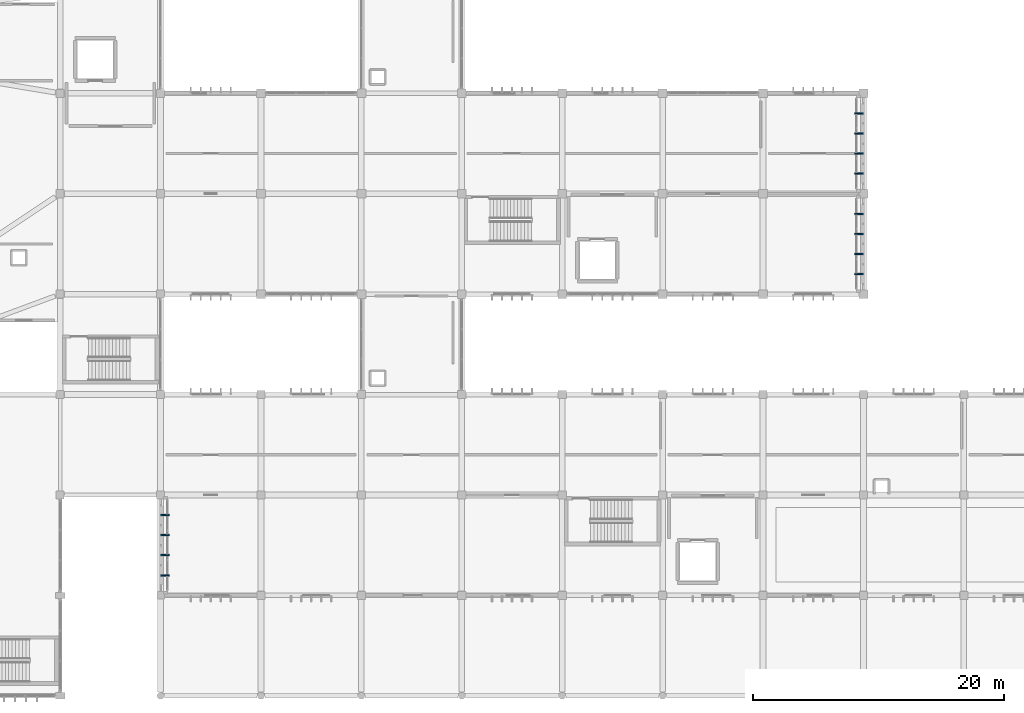
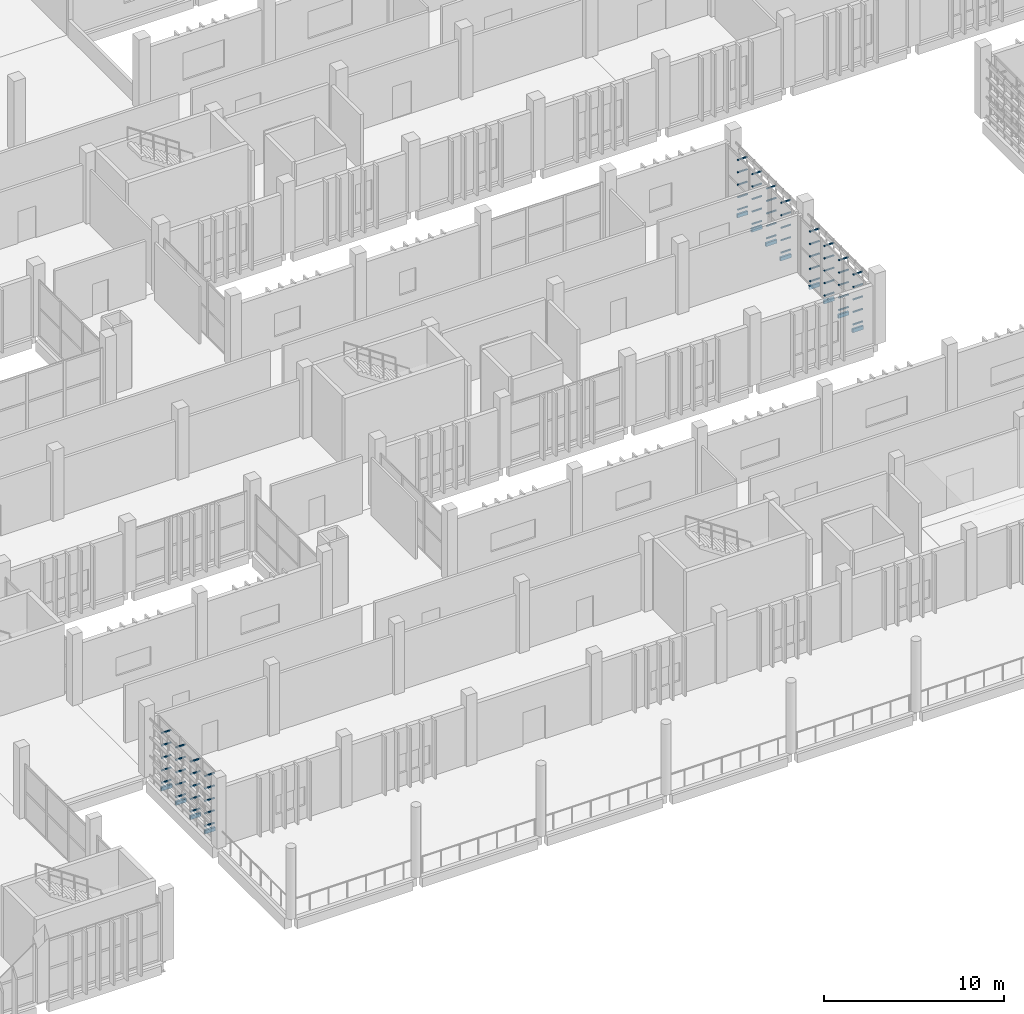
# One storey, part 95 of 106: 72 discrete accessories.
"""IFC4 building model written with IfcOpenShell, lengths in metres."""

from ifc_helpers import new_model, si_unit, direction, frame, origin, origin_2d, place, context, subcontext, project, spatial, rectangle, extrude, material, type_object, element, save


model = new_model("IFC4")

# Units and contexts
model_context = context("Model", 3, precision=1e-05, world=origin(), true_north=direction((0.0, 1.0)))
body_context = subcontext(model_context, "Body", "Model", "MODEL_VIEW")
ifc_project = project(units=[si_unit("LENGTHUNIT", "METRE"), si_unit("AREAUNIT", "SQUARE_METRE"), si_unit("VOLUMEUNIT", "CUBIC_METRE"), si_unit("PLANEANGLEUNIT", "RADIAN"), si_unit("MASSUNIT", "GRAM", prefix="KILO")], contexts=[model_context])

# Site, building, storey
site_placement = place(None, origin())
site = spatial("IfcSite", under=ifc_project, at=site_placement, CompositionType="ELEMENT")
building_placement = place(site_placement, origin())
building = spatial("IfcBuilding", under=site, at=building_placement, Name="Jelvoka-Kovrelna Polytechnic", CompositionType="ELEMENT")
storey_placement = place(building_placement, frame((0.0, 0.0, 4.800048828125)))
storey = spatial("IfcBuildingStorey", under=building, at=storey_placement, Name="L02", CompositionType="ELEMENT", Elevation=4.800048828125)

# Discrete accessories
ifc_material = material(Name="Structural steel S355JR", Category="steel")
discrete_accessory_type = type_object("IfcDiscreteAccessoryType", Name="Bracket_Outrigger_S355", PredefinedType="BRACKET", material=ifc_material)
discrete_accessory_1_placement = place(storey_placement, frame((56.320068359375, 9.60009765625, 0.280029296875), z_axis=(0.0, 0.0, 1.0), x_axis=(1.0, 0.0, 0.0)))
element("IfcDiscreteAccessory", 1, at=discrete_accessory_1_placement, inside=storey, type_object=discrete_accessory_type, Name="L02 screen outrigger tie bracket BRKM-PLT-SCR-0021", PredefinedType="BRACKET", context=body_context, shape_type="SweptSolid", body=[
    extrude(rectangle(XDim=0.639892578125, YDim=0.080078125, at=origin_2d()), origin(), (0.0, 0.0, 1.0), 0.080078125),
])
discrete_accessory_2_placement = place(storey_placement, frame((56.340087890625, 9.60009765625, -0.199951171875), z_axis=(0.0, 0.0, 1.0), x_axis=(1.0, 0.0, 0.0)))
element("IfcDiscreteAccessory", 2, at=discrete_accessory_2_placement, inside=storey, type_object=discrete_accessory_type, Name="L02 screen outrigger tie bracket BRK-PLT-SCR-0021", PredefinedType="BRACKET", context=body_context, shape_type="SweptSolid", body=[
    extrude(rectangle(XDim=0.679931640625, YDim=0.1201171875, at=origin_2d()), origin(), (0.0, 0.0, 1.0), 0.239990234375),
])
for number, where, z_axis, x_axis, name in (
    (3, (56.320068359375, 9.60009765625, 1.122314453125), (0.0, 0.0, 1.0), (1.0, 0.0, 0.0), "L02 screen outrigger tie bracket BRKM-PLT-SCR-0022"),
    (4, (56.320068359375, 9.60009765625, 1.96484375), (0.0, 0.0, 1.0), (1.0, 0.0, 0.0), "L02 screen outrigger tie bracket BRKM-PLT-SCR-0023"),
    (5, (56.320068359375, 9.60009765625, 2.807373046875), (0.0, 0.0, 1.0), (1.0, 0.0, 0.0), "L02 screen outrigger tie bracket BRKM-PLT-SCR-0024"),
    (6, (56.320068359375, 9.60009765625, 3.64990234375), (0.0, 0.0, 1.0), (1.0, 0.0, 0.0), "L02 screen outrigger tie bracket BRKM-PLT-SCR-0025"),
    (7, (56.320068359375, 11.199951171875, 0.280029296875), (0.0, 0.0, 1.0), (1.0, 0.0, 0.0), "L02 screen outrigger tie bracket BRKM-PLT-SCR-0026"),
):
    element("IfcDiscreteAccessory", number, at=place(storey_placement, frame(where, z_axis=z_axis, x_axis=x_axis)), inside=storey, type_object=discrete_accessory_type, Name=name, PredefinedType="BRACKET", context=body_context, shape_type="SweptSolid", body=[
        extrude(rectangle(XDim=0.639892578125, YDim=0.080078125, at=origin_2d()), origin(), (0.0, 0.0, 1.0), 0.080078125),
    ])
discrete_accessory_3_placement = place(storey_placement, frame((56.340087890625, 11.199951171875, -0.199951171875), z_axis=(0.0, 0.0, 1.0), x_axis=(1.0, 0.0, 0.0)))
element("IfcDiscreteAccessory", 8, at=discrete_accessory_3_placement, inside=storey, type_object=discrete_accessory_type, Name="L02 screen outrigger tie bracket BRK-PLT-SCR-0026", PredefinedType="BRACKET", context=body_context, shape_type="SweptSolid", body=[
    extrude(rectangle(XDim=0.679931640625, YDim=0.1201171875, at=origin_2d()), origin(), (0.0, 0.0, 1.0), 0.239990234375),
])
for number, where, z_axis, x_axis, name in (
    (9, (56.320068359375, 11.199951171875, 1.122314453125), (0.0, 0.0, 1.0), (1.0, 0.0, 0.0), "L02 screen outrigger tie bracket BRKM-PLT-SCR-0027"),
    (10, (56.320068359375, 11.199951171875, 1.96484375), (0.0, 0.0, 1.0), (1.0, 0.0, 0.0), "L02 screen outrigger tie bracket BRKM-PLT-SCR-0028"),
    (11, (56.320068359375, 11.199951171875, 2.807373046875), (0.0, 0.0, 1.0), (1.0, 0.0, 0.0), "L02 screen outrigger tie bracket BRKM-PLT-SCR-0029"),
    (12, (56.320068359375, 11.199951171875, 3.64990234375), (0.0, 0.0, 1.0), (1.0, 0.0, 0.0), "L02 screen outrigger tie bracket BRKM-PLT-SCR-0030"),
    (13, (56.320068359375, 12.800048828125, 0.280029296875), (0.0, 0.0, 1.0), (1.0, 0.0, 0.0), "L02 screen outrigger tie bracket BRKM-PLT-SCR-0031"),
):
    element("IfcDiscreteAccessory", number, at=place(storey_placement, frame(where, z_axis=z_axis, x_axis=x_axis)), inside=storey, type_object=discrete_accessory_type, Name=name, PredefinedType="BRACKET", context=body_context, shape_type="SweptSolid", body=[
        extrude(rectangle(XDim=0.639892578125, YDim=0.080078125, at=origin_2d()), origin(), (0.0, 0.0, 1.0), 0.080078125),
    ])
discrete_accessory_4_placement = place(storey_placement, frame((56.340087890625, 12.800048828125, -0.199951171875), z_axis=(0.0, 0.0, 1.0), x_axis=(1.0, 0.0, 0.0)))
element("IfcDiscreteAccessory", 14, at=discrete_accessory_4_placement, inside=storey, type_object=discrete_accessory_type, Name="L02 screen outrigger tie bracket BRK-PLT-SCR-0031", PredefinedType="BRACKET", context=body_context, shape_type="SweptSolid", body=[
    extrude(rectangle(XDim=0.679931640625, YDim=0.1201171875, at=origin_2d()), origin(), (0.0, 0.0, 1.0), 0.239990234375),
])
for number, where, z_axis, x_axis, name in (
    (15, (56.320068359375, 12.800048828125, 1.122314453125), (0.0, 0.0, 1.0), (1.0, 0.0, 0.0), "L02 screen outrigger tie bracket BRKM-PLT-SCR-0032"),
    (16, (56.320068359375, 12.800048828125, 1.96484375), (0.0, 0.0, 1.0), (1.0, 0.0, 0.0), "L02 screen outrigger tie bracket BRKM-PLT-SCR-0033"),
    (17, (56.320068359375, 12.800048828125, 2.807373046875), (0.0, 0.0, 1.0), (1.0, 0.0, 0.0), "L02 screen outrigger tie bracket BRKM-PLT-SCR-0034"),
    (18, (56.320068359375, 12.800048828125, 3.64990234375), (0.0, 0.0, 1.0), (1.0, 0.0, 0.0), "L02 screen outrigger tie bracket BRKM-PLT-SCR-0035"),
    (19, (56.320068359375, 14.39990234375, 0.280029296875), (0.0, 0.0, 1.0), (1.0, 0.0, 0.0), "L02 screen outrigger tie bracket BRKM-PLT-SCR-0036"),
):
    element("IfcDiscreteAccessory", number, at=place(storey_placement, frame(where, z_axis=z_axis, x_axis=x_axis)), inside=storey, type_object=discrete_accessory_type, Name=name, PredefinedType="BRACKET", context=body_context, shape_type="SweptSolid", body=[
        extrude(rectangle(XDim=0.639892578125, YDim=0.080078125, at=origin_2d()), origin(), (0.0, 0.0, 1.0), 0.080078125),
    ])
discrete_accessory_5_placement = place(storey_placement, frame((56.340087890625, 14.39990234375, -0.199951171875), z_axis=(0.0, 0.0, 1.0), x_axis=(1.0, 0.0, 0.0)))
element("IfcDiscreteAccessory", 20, at=discrete_accessory_5_placement, inside=storey, type_object=discrete_accessory_type, Name="L02 screen outrigger tie bracket BRK-PLT-SCR-0036", PredefinedType="BRACKET", context=body_context, shape_type="SweptSolid", body=[
    extrude(rectangle(XDim=0.679931640625, YDim=0.1201171875, at=origin_2d()), origin(), (0.0, 0.0, 1.0), 0.239990234375),
])
for number, where, z_axis, x_axis, name in (
    (21, (56.320068359375, 14.39990234375, 1.122314453125), (0.0, 0.0, 1.0), (1.0, 0.0, 0.0), "L02 screen outrigger tie bracket BRKM-PLT-SCR-0037"),
    (22, (56.320068359375, 14.39990234375, 1.96484375), (0.0, 0.0, 1.0), (1.0, 0.0, 0.0), "L02 screen outrigger tie bracket BRKM-PLT-SCR-0038"),
    (23, (56.320068359375, 14.39990234375, 2.807373046875), (0.0, 0.0, 1.0), (1.0, 0.0, 0.0), "L02 screen outrigger tie bracket BRKM-PLT-SCR-0039"),
    (24, (56.320068359375, 14.39990234375, 3.64990234375), (0.0, 0.0, 1.0), (1.0, 0.0, 0.0), "L02 screen outrigger tie bracket BRKM-PLT-SCR-0040"),
    (25, (111.679931640625, 33.60009765625, 0.280029296875), (0.0, 0.0, 1.0), (1.0, 0.0, 0.0), "L02 screen outrigger tie bracket BRKM-PLT-SCR-0201"),
):
    element("IfcDiscreteAccessory", number, at=place(storey_placement, frame(where, z_axis=z_axis, x_axis=x_axis)), inside=storey, type_object=discrete_accessory_type, Name=name, PredefinedType="BRACKET", context=body_context, shape_type="SweptSolid", body=[
        extrude(rectangle(XDim=0.639892578125, YDim=0.080078125, at=origin_2d()), origin(), (0.0, 0.0, 1.0), 0.080078125),
    ])
discrete_accessory_6_placement = place(storey_placement, frame((111.659912109375, 33.60009765625, -0.199951171875), z_axis=(0.0, 0.0, 1.0), x_axis=(1.0, 0.0, 0.0)))
element("IfcDiscreteAccessory", 26, at=discrete_accessory_6_placement, inside=storey, type_object=discrete_accessory_type, Name="L02 screen outrigger tie bracket BRK-PLT-SCR-0201", PredefinedType="BRACKET", context=body_context, shape_type="SweptSolid", body=[
    extrude(rectangle(XDim=0.679931640625, YDim=0.1201171875, at=origin_2d()), origin(), (0.0, 0.0, 1.0), 0.239990234375),
])
for number, where, z_axis, x_axis, name in (
    (27, (111.679931640625, 33.60009765625, 1.122314453125), (0.0, 0.0, 1.0), (1.0, 0.0, 0.0), "L02 screen outrigger tie bracket BRKM-PLT-SCR-0202"),
    (28, (111.679931640625, 33.60009765625, 1.96484375), (0.0, 0.0, 1.0), (1.0, 0.0, 0.0), "L02 screen outrigger tie bracket BRKM-PLT-SCR-0203"),
    (29, (111.679931640625, 33.60009765625, 2.807373046875), (0.0, 0.0, 1.0), (1.0, 0.0, 0.0), "L02 screen outrigger tie bracket BRKM-PLT-SCR-0204"),
    (30, (111.679931640625, 33.60009765625, 3.64990234375), (0.0, 0.0, 1.0), (1.0, 0.0, 0.0), "L02 screen outrigger tie bracket BRKM-PLT-SCR-0205"),
    (31, (111.679931640625, 35.199951171875, 0.280029296875), (0.0, 0.0, 1.0), (1.0, 0.0, 0.0), "L02 screen outrigger tie bracket BRKM-PLT-SCR-0206"),
):
    element("IfcDiscreteAccessory", number, at=place(storey_placement, frame(where, z_axis=z_axis, x_axis=x_axis)), inside=storey, type_object=discrete_accessory_type, Name=name, PredefinedType="BRACKET", context=body_context, shape_type="SweptSolid", body=[
        extrude(rectangle(XDim=0.639892578125, YDim=0.080078125, at=origin_2d()), origin(), (0.0, 0.0, 1.0), 0.080078125),
    ])
discrete_accessory_7_placement = place(storey_placement, frame((111.659912109375, 35.199951171875, -0.199951171875), z_axis=(0.0, 0.0, 1.0), x_axis=(1.0, 0.0, 0.0)))
element("IfcDiscreteAccessory", 32, at=discrete_accessory_7_placement, inside=storey, type_object=discrete_accessory_type, Name="L02 screen outrigger tie bracket BRK-PLT-SCR-0206", PredefinedType="BRACKET", context=body_context, shape_type="SweptSolid", body=[
    extrude(rectangle(XDim=0.679931640625, YDim=0.1201171875, at=origin_2d()), origin(), (0.0, 0.0, 1.0), 0.239990234375),
])
for number, where, z_axis, x_axis, name in (
    (33, (111.679931640625, 35.199951171875, 1.122314453125), (0.0, 0.0, 1.0), (1.0, 0.0, 0.0), "L02 screen outrigger tie bracket BRKM-PLT-SCR-0207"),
    (34, (111.679931640625, 35.199951171875, 1.96484375), (0.0, 0.0, 1.0), (1.0, 0.0, 0.0), "L02 screen outrigger tie bracket BRKM-PLT-SCR-0208"),
    (35, (111.679931640625, 35.199951171875, 2.807373046875), (0.0, 0.0, 1.0), (1.0, 0.0, 0.0), "L02 screen outrigger tie bracket BRKM-PLT-SCR-0209"),
    (36, (111.679931640625, 35.199951171875, 3.64990234375), (0.0, 0.0, 1.0), (1.0, 0.0, 0.0), "L02 screen outrigger tie bracket BRKM-PLT-SCR-0210"),
    (37, (111.679931640625, 36.800048828125, 0.280029296875), (0.0, 0.0, 1.0), (1.0, 0.0, 0.0), "L02 screen outrigger tie bracket BRKM-PLT-SCR-0211"),
):
    element("IfcDiscreteAccessory", number, at=place(storey_placement, frame(where, z_axis=z_axis, x_axis=x_axis)), inside=storey, type_object=discrete_accessory_type, Name=name, PredefinedType="BRACKET", context=body_context, shape_type="SweptSolid", body=[
        extrude(rectangle(XDim=0.639892578125, YDim=0.080078125, at=origin_2d()), origin(), (0.0, 0.0, 1.0), 0.080078125),
    ])
discrete_accessory_8_placement = place(storey_placement, frame((111.659912109375, 36.800048828125, -0.199951171875), z_axis=(0.0, 0.0, 1.0), x_axis=(1.0, 0.0, 0.0)))
element("IfcDiscreteAccessory", 38, at=discrete_accessory_8_placement, inside=storey, type_object=discrete_accessory_type, Name="L02 screen outrigger tie bracket BRK-PLT-SCR-0211", PredefinedType="BRACKET", context=body_context, shape_type="SweptSolid", body=[
    extrude(rectangle(XDim=0.679931640625, YDim=0.1201171875, at=origin_2d()), origin(), (0.0, 0.0, 1.0), 0.239990234375),
])
for number, where, z_axis, x_axis, name in (
    (39, (111.679931640625, 36.800048828125, 1.122314453125), (0.0, 0.0, 1.0), (1.0, 0.0, 0.0), "L02 screen outrigger tie bracket BRKM-PLT-SCR-0212"),
    (40, (111.679931640625, 36.800048828125, 1.96484375), (0.0, 0.0, 1.0), (1.0, 0.0, 0.0), "L02 screen outrigger tie bracket BRKM-PLT-SCR-0213"),
    (41, (111.679931640625, 36.800048828125, 2.807373046875), (0.0, 0.0, 1.0), (1.0, 0.0, 0.0), "L02 screen outrigger tie bracket BRKM-PLT-SCR-0214"),
    (42, (111.679931640625, 36.800048828125, 3.64990234375), (0.0, 0.0, 1.0), (1.0, 0.0, 0.0), "L02 screen outrigger tie bracket BRKM-PLT-SCR-0215"),
    (43, (111.679931640625, 38.39990234375, 0.280029296875), (0.0, 0.0, 1.0), (1.0, 0.0, 0.0), "L02 screen outrigger tie bracket BRKM-PLT-SCR-0216"),
):
    element("IfcDiscreteAccessory", number, at=place(storey_placement, frame(where, z_axis=z_axis, x_axis=x_axis)), inside=storey, type_object=discrete_accessory_type, Name=name, PredefinedType="BRACKET", context=body_context, shape_type="SweptSolid", body=[
        extrude(rectangle(XDim=0.639892578125, YDim=0.080078125, at=origin_2d()), origin(), (0.0, 0.0, 1.0), 0.080078125),
    ])
discrete_accessory_9_placement = place(storey_placement, frame((111.659912109375, 38.39990234375, -0.199951171875), z_axis=(0.0, 0.0, 1.0), x_axis=(1.0, 0.0, 0.0)))
element("IfcDiscreteAccessory", 44, at=discrete_accessory_9_placement, inside=storey, type_object=discrete_accessory_type, Name="L02 screen outrigger tie bracket BRK-PLT-SCR-0216", PredefinedType="BRACKET", context=body_context, shape_type="SweptSolid", body=[
    extrude(rectangle(XDim=0.679931640625, YDim=0.1201171875, at=origin_2d()), origin(), (0.0, 0.0, 1.0), 0.239990234375),
])
for number, where, z_axis, x_axis, name in (
    (45, (111.679931640625, 38.39990234375, 1.122314453125), (0.0, 0.0, 1.0), (1.0, 0.0, 0.0), "L02 screen outrigger tie bracket BRKM-PLT-SCR-0217"),
    (46, (111.679931640625, 38.39990234375, 1.96484375), (0.0, 0.0, 1.0), (1.0, 0.0, 0.0), "L02 screen outrigger tie bracket BRKM-PLT-SCR-0218"),
    (47, (111.679931640625, 38.39990234375, 2.807373046875), (0.0, 0.0, 1.0), (1.0, 0.0, 0.0), "L02 screen outrigger tie bracket BRKM-PLT-SCR-0219"),
    (48, (111.679931640625, 38.39990234375, 3.64990234375), (0.0, 0.0, 1.0), (1.0, 0.0, 0.0), "L02 screen outrigger tie bracket BRKM-PLT-SCR-0220"),
    (49, (111.679931640625, 41.60009765625, 0.280029296875), (0.0, 0.0, 1.0), (1.0, 0.0, 0.0), "L02 screen outrigger tie bracket BRKM-PLT-SCR-0221"),
):
    element("IfcDiscreteAccessory", number, at=place(storey_placement, frame(where, z_axis=z_axis, x_axis=x_axis)), inside=storey, type_object=discrete_accessory_type, Name=name, PredefinedType="BRACKET", context=body_context, shape_type="SweptSolid", body=[
        extrude(rectangle(XDim=0.639892578125, YDim=0.080078125, at=origin_2d()), origin(), (0.0, 0.0, 1.0), 0.080078125),
    ])
discrete_accessory_10_placement = place(storey_placement, frame((111.659912109375, 41.60009765625, -0.199951171875), z_axis=(0.0, 0.0, 1.0), x_axis=(1.0, 0.0, 0.0)))
element("IfcDiscreteAccessory", 50, at=discrete_accessory_10_placement, inside=storey, type_object=discrete_accessory_type, Name="L02 screen outrigger tie bracket BRK-PLT-SCR-0221", PredefinedType="BRACKET", context=body_context, shape_type="SweptSolid", body=[
    extrude(rectangle(XDim=0.679931640625, YDim=0.1201171875, at=origin_2d()), origin(), (0.0, 0.0, 1.0), 0.239990234375),
])
for number, where, z_axis, x_axis, name in (
    (51, (111.679931640625, 41.60009765625, 1.122314453125), (0.0, 0.0, 1.0), (1.0, 0.0, 0.0), "L02 screen outrigger tie bracket BRKM-PLT-SCR-0222"),
    (52, (111.679931640625, 41.60009765625, 1.96484375), (0.0, 0.0, 1.0), (1.0, 0.0, 0.0), "L02 screen outrigger tie bracket BRKM-PLT-SCR-0223"),
    (53, (111.679931640625, 41.60009765625, 2.807373046875), (0.0, 0.0, 1.0), (1.0, 0.0, 0.0), "L02 screen outrigger tie bracket BRKM-PLT-SCR-0224"),
    (54, (111.679931640625, 41.60009765625, 3.64990234375), (0.0, 0.0, 1.0), (1.0, 0.0, 0.0), "L02 screen outrigger tie bracket BRKM-PLT-SCR-0225"),
    (55, (111.679931640625, 43.199951171875, 0.280029296875), (0.0, 0.0, 1.0), (1.0, 0.0, 0.0), "L02 screen outrigger tie bracket BRKM-PLT-SCR-0226"),
):
    element("IfcDiscreteAccessory", number, at=place(storey_placement, frame(where, z_axis=z_axis, x_axis=x_axis)), inside=storey, type_object=discrete_accessory_type, Name=name, PredefinedType="BRACKET", context=body_context, shape_type="SweptSolid", body=[
        extrude(rectangle(XDim=0.639892578125, YDim=0.080078125, at=origin_2d()), origin(), (0.0, 0.0, 1.0), 0.080078125),
    ])
discrete_accessory_11_placement = place(storey_placement, frame((111.659912109375, 43.199951171875, -0.199951171875), z_axis=(0.0, 0.0, 1.0), x_axis=(1.0, 0.0, 0.0)))
element("IfcDiscreteAccessory", 56, at=discrete_accessory_11_placement, inside=storey, type_object=discrete_accessory_type, Name="L02 screen outrigger tie bracket BRK-PLT-SCR-0226", PredefinedType="BRACKET", context=body_context, shape_type="SweptSolid", body=[
    extrude(rectangle(XDim=0.679931640625, YDim=0.1201171875, at=origin_2d()), origin(), (0.0, 0.0, 1.0), 0.239990234375),
])
for number, where, z_axis, x_axis, name in (
    (57, (111.679931640625, 43.199951171875, 1.122314453125), (0.0, 0.0, 1.0), (1.0, 0.0, 0.0), "L02 screen outrigger tie bracket BRKM-PLT-SCR-0227"),
    (58, (111.679931640625, 43.199951171875, 1.96484375), (0.0, 0.0, 1.0), (1.0, 0.0, 0.0), "L02 screen outrigger tie bracket BRKM-PLT-SCR-0228"),
    (59, (111.679931640625, 43.199951171875, 2.807373046875), (0.0, 0.0, 1.0), (1.0, 0.0, 0.0), "L02 screen outrigger tie bracket BRKM-PLT-SCR-0229"),
    (60, (111.679931640625, 43.199951171875, 3.64990234375), (0.0, 0.0, 1.0), (1.0, 0.0, 0.0), "L02 screen outrigger tie bracket BRKM-PLT-SCR-0230"),
    (61, (111.679931640625, 44.800048828125, 0.280029296875), (0.0, 0.0, 1.0), (1.0, 0.0, 0.0), "L02 screen outrigger tie bracket BRKM-PLT-SCR-0231"),
):
    element("IfcDiscreteAccessory", number, at=place(storey_placement, frame(where, z_axis=z_axis, x_axis=x_axis)), inside=storey, type_object=discrete_accessory_type, Name=name, PredefinedType="BRACKET", context=body_context, shape_type="SweptSolid", body=[
        extrude(rectangle(XDim=0.639892578125, YDim=0.080078125, at=origin_2d()), origin(), (0.0, 0.0, 1.0), 0.080078125),
    ])
discrete_accessory_12_placement = place(storey_placement, frame((111.659912109375, 44.800048828125, -0.199951171875), z_axis=(0.0, 0.0, 1.0), x_axis=(1.0, 0.0, 0.0)))
element("IfcDiscreteAccessory", 62, at=discrete_accessory_12_placement, inside=storey, type_object=discrete_accessory_type, Name="L02 screen outrigger tie bracket BRK-PLT-SCR-0231", PredefinedType="BRACKET", context=body_context, shape_type="SweptSolid", body=[
    extrude(rectangle(XDim=0.679931640625, YDim=0.1201171875, at=origin_2d()), origin(), (0.0, 0.0, 1.0), 0.239990234375),
])
for number, where, z_axis, x_axis, name in (
    (63, (111.679931640625, 44.800048828125, 1.122314453125), (0.0, 0.0, 1.0), (1.0, 0.0, 0.0), "L02 screen outrigger tie bracket BRKM-PLT-SCR-0232"),
    (64, (111.679931640625, 44.800048828125, 1.96484375), (0.0, 0.0, 1.0), (1.0, 0.0, 0.0), "L02 screen outrigger tie bracket BRKM-PLT-SCR-0233"),
    (65, (111.679931640625, 44.800048828125, 2.807373046875), (0.0, 0.0, 1.0), (1.0, 0.0, 0.0), "L02 screen outrigger tie bracket BRKM-PLT-SCR-0234"),
    (66, (111.679931640625, 44.800048828125, 3.64990234375), (0.0, 0.0, 1.0), (1.0, 0.0, 0.0), "L02 screen outrigger tie bracket BRKM-PLT-SCR-0235"),
    (67, (111.679931640625, 46.39990234375, 0.280029296875), (0.0, 0.0, 1.0), (1.0, 0.0, 0.0), "L02 screen outrigger tie bracket BRKM-PLT-SCR-0236"),
):
    element("IfcDiscreteAccessory", number, at=place(storey_placement, frame(where, z_axis=z_axis, x_axis=x_axis)), inside=storey, type_object=discrete_accessory_type, Name=name, PredefinedType="BRACKET", context=body_context, shape_type="SweptSolid", body=[
        extrude(rectangle(XDim=0.639892578125, YDim=0.080078125, at=origin_2d()), origin(), (0.0, 0.0, 1.0), 0.080078125),
    ])
discrete_accessory_13_placement = place(storey_placement, frame((111.659912109375, 46.39990234375, -0.199951171875), z_axis=(0.0, 0.0, 1.0), x_axis=(1.0, 0.0, 0.0)))
element("IfcDiscreteAccessory", 68, at=discrete_accessory_13_placement, inside=storey, type_object=discrete_accessory_type, Name="L02 screen outrigger tie bracket BRK-PLT-SCR-0236", PredefinedType="BRACKET", context=body_context, shape_type="SweptSolid", body=[
    extrude(rectangle(XDim=0.679931640625, YDim=0.1201171875, at=origin_2d()), origin(), (0.0, 0.0, 1.0), 0.239990234375),
])
for number, where, z_axis, x_axis, name in (
    (69, (111.679931640625, 46.39990234375, 1.122314453125), (0.0, 0.0, 1.0), (1.0, 0.0, 0.0), "L02 screen outrigger tie bracket BRKM-PLT-SCR-0237"),
    (70, (111.679931640625, 46.39990234375, 1.96484375), (0.0, 0.0, 1.0), (1.0, 0.0, 0.0), "L02 screen outrigger tie bracket BRKM-PLT-SCR-0238"),
    (71, (111.679931640625, 46.39990234375, 2.807373046875), (0.0, 0.0, 1.0), (1.0, 0.0, 0.0), "L02 screen outrigger tie bracket BRKM-PLT-SCR-0239"),
    (72, (111.679931640625, 46.39990234375, 3.64990234375), (0.0, 0.0, 1.0), (1.0, 0.0, 0.0), "L02 screen outrigger tie bracket BRKM-PLT-SCR-0240"),
):
    element("IfcDiscreteAccessory", number, at=place(storey_placement, frame(where, z_axis=z_axis, x_axis=x_axis)), inside=storey, type_object=discrete_accessory_type, Name=name, PredefinedType="BRACKET", context=body_context, shape_type="SweptSolid", body=[
        extrude(rectangle(XDim=0.639892578125, YDim=0.080078125, at=origin_2d()), origin(), (0.0, 0.0, 1.0), 0.080078125),
    ])

save(model, "model.ifc")
